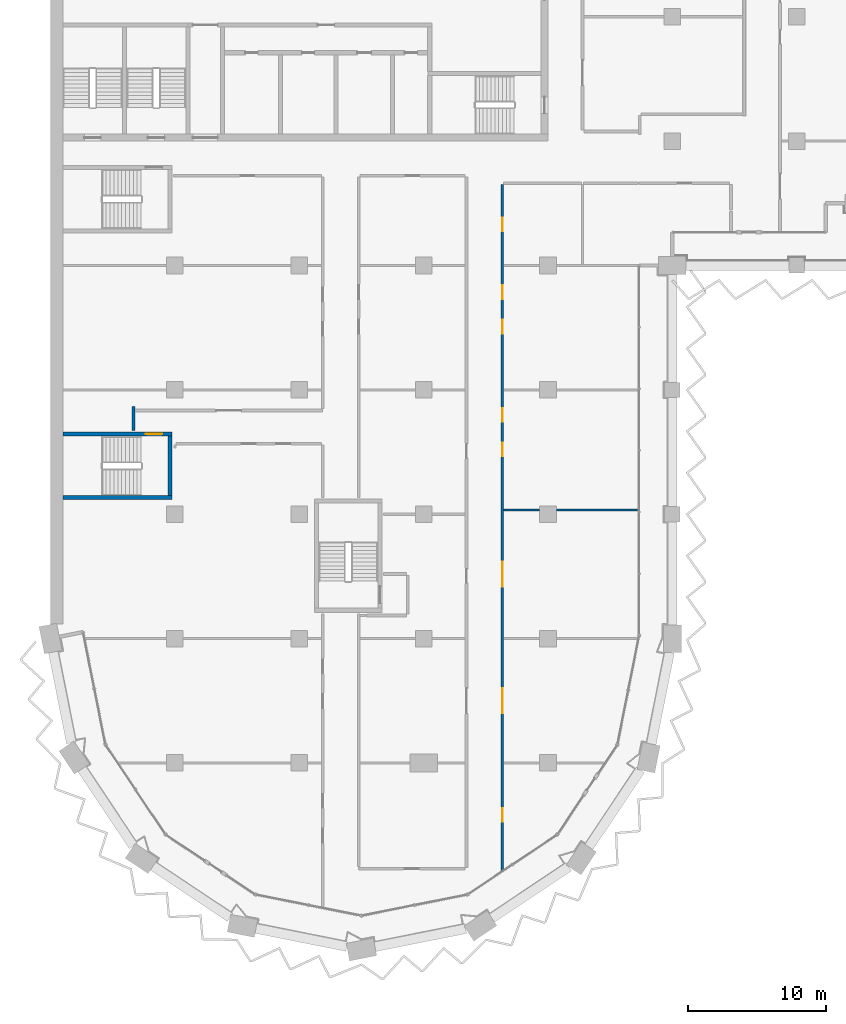
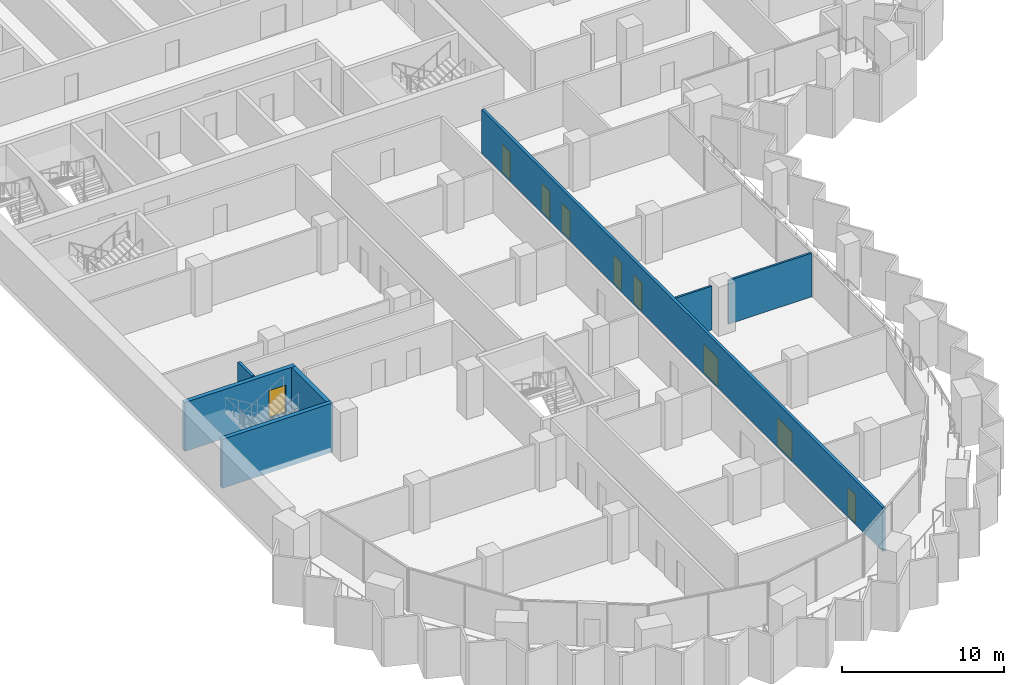
# One storey, part 10 of 23: 9 doors, 7 walls, 9 openings.
"""IFC4 building model written with IfcOpenShell, lengths in metres."""

from ifc_helpers import new_model, si_unit, direction, frame, frame_2d, origin, place, context, subcontext, project, spatial, rectangle, extrude, material, layer, layer_set, type_object, element, fill, save


model = new_model("IFC4")

# Units and contexts
model_context = context("Model", 3, precision=1e-05, world=origin(), true_north=direction((0.0, 1.0)))
body_context = subcontext(model_context, "Body", "Model", "MODEL_VIEW")
ifc_project = project(units=[si_unit("LENGTHUNIT", "METRE"), si_unit("AREAUNIT", "SQUARE_METRE"), si_unit("VOLUMEUNIT", "CUBIC_METRE"), si_unit("PLANEANGLEUNIT", "RADIAN"), si_unit("MASSUNIT", "GRAM", prefix="KILO")], contexts=[model_context])

# Site, building, storey
site_placement = place(None, origin())
site = spatial("IfcSite", under=ifc_project, at=site_placement, CompositionType="ELEMENT")
building_placement = place(site_placement, origin())
building = spatial("IfcBuilding", under=site, at=building_placement, Name="Hunhe Ridgeline Campus", CompositionType="ELEMENT")
storey_placement = place(building_placement, frame((0.0, 0.0, 148.60009765625)))
storey = spatial("IfcBuildingStorey", under=building, at=storey_placement, Name="L37", CompositionType="ELEMENT", Elevation=148.60009765625)

# Wall
ifc_material_1 = material(Name="Gypsum board partition")
ifc_layer_1 = layer(ifc_material_1, 0.199951171875)
ifc_layer_set_1 = layer_set([ifc_layer_1], Name="Corridor partition 200 gypsum board on steel studs")
wall_type_1 = type_object("IfcWallType", Name="Corridor partition 200 gypsum board on steel studs", PredefinedType="PARTITIONING", material=ifc_layer_set_1)
wall_1_placement = place(storey_placement, frame((6.0, 42.053955078125, 0.0), z_axis=(0.0, 0.0, 1.0), x_axis=(0.0, 1.0, 0.0)))
element("IfcWall", 1, at=wall_1_placement, inside=storey, type_object=wall_type_1, Name="F-L37-wall-059", PredefinedType="PARTITIONING", context=body_context, shape_type="SweptSolid", body=[
    extrude(rectangle(XDim=1.74609375, YDim=0.199951171875, at=frame_2d((0.873046875, 0.0))), origin(), (0.0, 0.0, 1.0), 3.2998046875),
])

# Wall, openings, doors
wall_2_placement = place(storey_placement, frame((32.699951171875, 59.85107421875, 0.0), z_axis=(0.0, 0.0, 1.0), x_axis=(0.0, -1.0, 0.0)))
wall_2 = element("IfcWall", 2, at=wall_2_placement, inside=storey, type_object=wall_type_1, Name="F-L37-wall-068", PredefinedType="PARTITIONING", context=body_context, shape_type="SweptSolid", body=[
    extrude(rectangle(XDim=49.62353515625, YDim=0.199951171875, at=frame_2d((24.811767578125, 0.0))), origin(), (0.0, 0.0, 1.0), 3.2998046875),
])
opening_1_placement = place(wall_2_placement, frame((45.113525390625, 0.0, 0.0)))
opening_1 = element("IfcOpeningElement", 3, at=opening_1_placement, cuts=wall_2, Name="Opening RD1-003", PredefinedType="OPENING", context=body_context, shape_type="SweptSolid", body=[
    extrude(rectangle(XDim=1.0, YDim=2.10009765625, at=frame_2d((0.5, 1.050048828125))), frame((0.0, 0.10009765625, 0.0), z_axis=(0.0, -1.0, 0.0), x_axis=(1.0, 0.0, 0.0)), (0.0, 0.0, 1.0), 0.199951171875),
])
opening_2_placement = place(wall_2_placement, frame((36.443115234375, 0.0, 0.0)))
opening_2 = element("IfcOpeningElement", 4, at=opening_2_placement, cuts=wall_2, Name="Opening RD2-007", PredefinedType="OPENING", context=body_context, shape_type="SweptSolid", body=[
    extrude(rectangle(XDim=1.800048828125, YDim=2.10009765625, at=frame_2d((0.89990234375, 1.050048828125))), frame((0.0, 0.10009765625, 0.0), z_axis=(0.0, -1.0, 0.0), x_axis=(1.0, 0.0, 0.0)), (0.0, 0.0, 1.0), 0.199951171875),
])
opening_3_placement = place(wall_2_placement, frame((27.295166015625, 0.0, 0.0)))
opening_3 = element("IfcOpeningElement", 5, at=opening_3_placement, cuts=wall_2, Name="Opening RD2-010", PredefinedType="OPENING", context=body_context, shape_type="SweptSolid", body=[
    extrude(rectangle(XDim=1.800048828125, YDim=2.10009765625, at=frame_2d((0.89990234375, 1.050048828125))), frame((0.0, 0.10009765625, 0.0), z_axis=(0.0, -1.0, 0.0), x_axis=(1.0, 0.0, 0.0)), (0.0, 0.0, 1.0), 0.199951171875),
])
opening_4_placement = place(wall_2_placement, frame((18.672607421875, 0.0, 0.0)))
opening_4 = element("IfcOpeningElement", 6, at=opening_4_placement, cuts=wall_2, Name="Opening RD1-012", PredefinedType="OPENING", context=body_context, shape_type="SweptSolid", body=[
    extrude(rectangle(XDim=1.0, YDim=2.10009765625, at=frame_2d((0.5, 1.050048828125))), frame((0.0, 0.10009765625, 0.0), z_axis=(0.0, -1.0, 0.0), x_axis=(1.0, 0.0, 0.0)), (0.0, 0.0, 1.0), 0.199951171875),
])
opening_5_placement = place(wall_2_placement, frame((16.172607421875, 0.0, 0.0)))
opening_5 = element("IfcOpeningElement", 7, at=opening_5_placement, cuts=wall_2, Name="Opening RD1-015", PredefinedType="OPENING", context=body_context, shape_type="SweptSolid", body=[
    extrude(rectangle(XDim=1.0, YDim=2.10009765625, at=frame_2d((0.5, 1.050048828125))), frame((0.0, 0.10009765625, 0.0), z_axis=(0.0, -1.0, 0.0), x_axis=(1.0, 0.0, 0.0)), (0.0, 0.0, 1.0), 0.199951171875),
])
opening_6_placement = place(wall_2_placement, frame((9.775634765625, 0.0, 0.0)))
opening_6 = element("IfcOpeningElement", 8, at=opening_6_placement, cuts=wall_2, Name="Opening RD1-019", PredefinedType="OPENING", context=body_context, shape_type="SweptSolid", body=[
    extrude(rectangle(XDim=1.0, YDim=2.10009765625, at=frame_2d((0.5, 1.050048828125))), frame((0.0, 0.10009765625, 0.0), z_axis=(0.0, -1.0, 0.0), x_axis=(1.0, 0.0, 0.0)), (0.0, 0.0, 1.0), 0.199951171875),
])
opening_7_placement = place(wall_2_placement, frame((7.275634765625, 0.0, 0.0)))
opening_7 = element("IfcOpeningElement", 9, at=opening_7_placement, cuts=wall_2, Name="Opening RD1-022", PredefinedType="OPENING", context=body_context, shape_type="SweptSolid", body=[
    extrude(rectangle(XDim=1.0, YDim=2.10009765625, at=frame_2d((0.5, 1.050048828125))), frame((0.0, 0.10009765625, 0.0), z_axis=(0.0, -1.0, 0.0), x_axis=(1.0, 0.0, 0.0)), (0.0, 0.0, 1.0), 0.199951171875),
])
opening_8_placement = place(wall_2_placement, frame((2.382080078125, 0.0, 0.0)))
opening_8 = element("IfcOpeningElement", 10, at=opening_8_placement, cuts=wall_2, Name="Opening RD1-023", PredefinedType="OPENING", context=body_context, shape_type="SweptSolid", body=[
    extrude(rectangle(XDim=1.0, YDim=2.10009765625, at=frame_2d((0.5, 1.050048828125))), frame((0.0, 0.10009765625, 0.0), z_axis=(0.0, -1.0, 0.0), x_axis=(1.0, 0.0, 0.0)), (0.0, 0.0, 1.0), 0.199951171875),
])
ifc_material_2 = material(Name="Timber door leaf", Category="wood")
door_type_1 = type_object("IfcDoorType", Name="Double fire door 1800x2100 timber FD60", OperationType="DOUBLE_DOOR_SINGLE_SWING", PredefinedType="DOOR", material=ifc_material_2)
door_1_placement = place(opening_2_placement, origin())
door_1 = element("IfcDoor", 11, at=door_1_placement, inside=storey, type_object=door_type_1, Name="F-L37-door-007", OperationType="DOUBLE_DOOR_SINGLE_SWING", OverallHeight=2.10009765625, OverallWidth=1.800048828125, PredefinedType="DOOR", context=body_context, shape_type="SweptSolid", body=[
    extrude(rectangle(XDim=1.800048828125, YDim=2.10009765625, at=frame_2d((0.89990234375, 1.050048828125))), frame((0.0, 0.02490234375, 0.0), z_axis=(0.0, -1.0, 0.0), x_axis=(1.0, 0.0, 0.0)), (0.0, 0.0, 1.0), 0.050048828125),
])
fill(opening_2, door_1)
door_2_placement = place(opening_3_placement, origin())
door_2 = element("IfcDoor", 12, at=door_2_placement, inside=storey, type_object=door_type_1, Name="F-L37-door-010", OperationType="DOUBLE_DOOR_SINGLE_SWING", OverallHeight=2.10009765625, OverallWidth=1.800048828125, PredefinedType="DOOR", context=body_context, shape_type="SweptSolid", body=[
    extrude(rectangle(XDim=1.800048828125, YDim=2.10009765625, at=frame_2d((0.89990234375, 1.050048828125))), frame((0.0, 0.02490234375, 0.0), z_axis=(0.0, -1.0, 0.0), x_axis=(1.0, 0.0, 0.0)), (0.0, 0.0, 1.0), 0.050048828125),
])
fill(opening_3, door_2)
door_type_2 = type_object("IfcDoorType", Name="Single fire door 1000x2100 timber FD60", OperationType="NOTDEFINED", PredefinedType="DOOR", material=ifc_material_2)
door_3_placement = place(opening_1_placement, origin())
door_3 = element("IfcDoor", 13, at=door_3_placement, inside=storey, type_object=door_type_2, Name="F-L37-door-003", OperationType="SINGLE_SWING_RIGHT", OverallHeight=2.10009765625, OverallWidth=1.0, PredefinedType="DOOR", context=body_context, shape_type="SweptSolid", body=[
    extrude(rectangle(XDim=1.0, YDim=2.10009765625, at=frame_2d((0.5, 1.050048828125))), frame((0.0, 0.02490234375, 0.0), z_axis=(0.0, -1.0, 0.0), x_axis=(1.0, 0.0, 0.0)), (0.0, 0.0, 1.0), 0.050048828125),
])
fill(opening_1, door_3)
door_4_placement = place(opening_4_placement, frame((1.0, 0.0, 0.0), z_axis=(0.0, 0.0, 1.0), x_axis=(-1.0, 0.0, 0.0)))
door_4 = element("IfcDoor", 14, at=door_4_placement, inside=storey, type_object=door_type_2, Name="F-L37-door-012", OperationType="SINGLE_SWING_RIGHT", OverallHeight=2.10009765625, OverallWidth=1.0, PredefinedType="DOOR", context=body_context, shape_type="SweptSolid", body=[
    extrude(rectangle(XDim=1.0, YDim=2.10009765625, at=frame_2d((0.5, 1.050048828125))), frame((0.0, 0.02490234375, 0.0), z_axis=(0.0, -1.0, 0.0), x_axis=(1.0, 0.0, 0.0)), (0.0, 0.0, 1.0), 0.050048828125),
])
fill(opening_4, door_4)
door_5_placement = place(opening_5_placement, frame((1.0, 0.0, 0.0), z_axis=(0.0, 0.0, 1.0), x_axis=(-1.0, 0.0, 0.0)))
door_5 = element("IfcDoor", 15, at=door_5_placement, inside=storey, type_object=door_type_2, Name="F-L37-door-015", OperationType="SINGLE_SWING_RIGHT", OverallHeight=2.10009765625, OverallWidth=1.0, PredefinedType="DOOR", context=body_context, shape_type="SweptSolid", body=[
    extrude(rectangle(XDim=1.0, YDim=2.10009765625, at=frame_2d((0.5, 1.050048828125))), frame((0.0, 0.02490234375, 0.0), z_axis=(0.0, -1.0, 0.0), x_axis=(1.0, 0.0, 0.0)), (0.0, 0.0, 1.0), 0.050048828125),
])
fill(opening_5, door_5)
door_6_placement = place(opening_6_placement, frame((1.0, 0.0, 0.0), z_axis=(0.0, 0.0, 1.0), x_axis=(-1.0, 0.0, 0.0)))
door_6 = element("IfcDoor", 16, at=door_6_placement, inside=storey, type_object=door_type_2, Name="F-L37-door-019", OperationType="SINGLE_SWING_LEFT", OverallHeight=2.10009765625, OverallWidth=1.0, PredefinedType="DOOR", context=body_context, shape_type="SweptSolid", body=[
    extrude(rectangle(XDim=1.0, YDim=2.10009765625, at=frame_2d((0.5, 1.050048828125))), frame((0.0, 0.02490234375, 0.0), z_axis=(0.0, -1.0, 0.0), x_axis=(1.0, 0.0, 0.0)), (0.0, 0.0, 1.0), 0.050048828125),
])
fill(opening_6, door_6)
door_7_placement = place(opening_7_placement, frame((1.0, 0.0, 0.0), z_axis=(0.0, 0.0, 1.0), x_axis=(-1.0, 0.0, 0.0)))
door_7 = element("IfcDoor", 17, at=door_7_placement, inside=storey, type_object=door_type_2, Name="F-L37-door-022", OperationType="SINGLE_SWING_RIGHT", OverallHeight=2.10009765625, OverallWidth=1.0, PredefinedType="DOOR", context=body_context, shape_type="SweptSolid", body=[
    extrude(rectangle(XDim=1.0, YDim=2.10009765625, at=frame_2d((0.5, 1.050048828125))), frame((0.0, 0.02490234375, 0.0), z_axis=(0.0, -1.0, 0.0), x_axis=(1.0, 0.0, 0.0)), (0.0, 0.0, 1.0), 0.050048828125),
])
fill(opening_7, door_7)
door_8_placement = place(opening_8_placement, origin())
door_8 = element("IfcDoor", 18, at=door_8_placement, inside=storey, type_object=door_type_2, Name="F-L37-door-023", OperationType="SINGLE_SWING_LEFT", OverallHeight=2.10009765625, OverallWidth=1.0, PredefinedType="DOOR", context=body_context, shape_type="SweptSolid", body=[
    extrude(rectangle(XDim=1.0, YDim=2.10009765625, at=frame_2d((0.5, 1.050048828125))), frame((0.0, 0.02490234375, 0.0), z_axis=(0.0, -1.0, 0.0), x_axis=(1.0, 0.0, 0.0)), (0.0, 0.0, 1.0), 0.050048828125),
])
fill(opening_8, door_8)

# Walls
ifc_layer_2 = layer(ifc_material_1, 0.14990234375)
ifc_layer_set_2 = layer_set([ifc_layer_2], Name="Room partition 150 gypsum board on steel studs")
wall_type_2 = type_object("IfcWallType", Name="Room partition 150 gypsum board on steel studs", PredefinedType="PARTITIONING", material=ifc_layer_set_2)
wall_3_placement = place(storey_placement, frame((32.800048828125, 36.300048828125, 0.0), z_axis=(0.0, 0.0, 1.0), x_axis=(1.0, 0.0, 0.0)))
element("IfcWall", 19, at=wall_3_placement, inside=storey, type_object=wall_type_2, Name="F-L37-wall-021", PredefinedType="PARTITIONING", context=body_context, shape_type="SweptSolid", body=[
    extrude(rectangle(XDim=2.599853515625, YDim=0.14990234375, at=frame_2d((1.2998046875, 0.0))), origin(), (0.0, 0.0, 1.0), 3.2998046875),
])
wall_4_placement = place(storey_placement, frame((36.60009765625, 36.300048828125, 0.0), z_axis=(0.0, 0.0, 1.0), x_axis=(1.0, 0.0, 0.0)))
element("IfcWall", 20, at=wall_4_placement, inside=storey, type_object=wall_type_2, Name="F-L37-wall-022", PredefinedType="PARTITIONING", context=body_context, shape_type="SweptSolid", body=[
    extrude(rectangle(XDim=5.94482421875, YDim=0.14990234375, at=frame_2d((2.972412109375, 0.0))), origin(), (0.0, 0.0, 1.0), 3.2998046875),
])
ifc_material_3 = material(Name="Concrete C70", Category="concrete")
ifc_layer_3 = layer(ifc_material_3, 0.300048828125)
ifc_layer_set_3 = layer_set([ifc_layer_3], Name="Stair wall 300 reinforced concrete C70")
wall_type_3 = type_object("IfcWallType", Name="Stair wall 300 reinforced concrete C70", PredefinedType="SOLIDWALL", material=ifc_layer_set_3)
wall_5_placement = place(storey_placement, frame((0.89990234375, 37.199951171875, -0.400146484375), z_axis=(0.0, 0.0, 1.0), x_axis=(1.0, 0.0, 0.0)))
element("IfcWall", 21, at=wall_5_placement, inside=storey, type_object=wall_type_3, Name="L37 core wall 3", PredefinedType="SOLIDWALL", context=body_context, shape_type="SweptSolid", body=[
    extrude(rectangle(XDim=7.900146484375, YDim=0.300048828125, at=frame_2d((3.9501953125, 0.0))), origin(), (0.0, 0.0, 1.0), 3.699951171875),
])

# Wall, opening, door
wall_6_placement = place(storey_placement, frame((0.89990234375, 41.800048828125, -0.400146484375), z_axis=(0.0, 0.0, 1.0), x_axis=(1.0, 0.0, 0.0)))
wall_6 = element("IfcWall", 22, at=wall_6_placement, inside=storey, type_object=wall_type_3, Name="L37 core wall 4", PredefinedType="SOLIDWALL", context=body_context, shape_type="SweptSolid", body=[
    extrude(rectangle(XDim=7.900146484375, YDim=0.300048828125, at=frame_2d((3.9501953125, 0.0))), origin(), (0.0, 0.0, 1.0), 3.699951171875),
])
opening_9_placement = place(wall_6_placement, frame((6.0, 0.0, 0.39990234375)))
opening_9 = element("IfcOpeningElement", 23, at=opening_9_placement, cuts=wall_6, Name="Opening CD21", PredefinedType="OPENING", context=body_context, shape_type="SweptSolid", body=[
    extrude(rectangle(XDim=1.199951171875, YDim=2.10009765625, at=frame_2d((0.60009765625, 1.050048828125))), frame((0.0, 0.14990234375, 0.0), z_axis=(0.0, -1.0, 0.0), x_axis=(1.0, 0.0, 0.0)), (0.0, 0.0, 1.0), 0.300048828125),
])
ifc_material_4 = material(Name="Hollow metal fire door leaf")
door_type_3 = type_object("IfcDoorType", Name="Stair door 1200x2100 FD60", OperationType="SINGLE_SWING_LEFT", PredefinedType="DOOR", material=ifc_material_4)
door_9_placement = place(opening_9_placement, origin())
door_9 = element("IfcDoor", 24, at=door_9_placement, inside=storey, type_object=door_type_3, Name="L37 door W1", OperationType="SINGLE_SWING_LEFT", OverallHeight=2.10009765625, OverallWidth=1.199951171875, PredefinedType="DOOR", context=body_context, shape_type="SweptSolid", body=[
    extrude(rectangle(XDim=1.199951171875, YDim=2.10009765625, at=frame_2d((0.60009765625, 1.050048828125))), frame((0.0, 0.02490234375, 0.0), z_axis=(0.0, -1.0, 0.0), x_axis=(1.0, 0.0, 0.0)), (0.0, 0.0, 1.0), 0.050048828125),
])
fill(opening_9, door_9)

# Wall
wall_7_placement = place(storey_placement, frame((8.64990234375, 37.35009765625, -0.400146484375), z_axis=(0.0, 0.0, 1.0), x_axis=(0.0, 1.0, 0.0)))
element("IfcWall", 25, at=wall_7_placement, inside=storey, type_object=wall_type_3, Name="L37 core wall 35", PredefinedType="SOLIDWALL", context=body_context, shape_type="SweptSolid", body=[
    extrude(rectangle(XDim=4.2998046875, YDim=0.300048828125, at=frame_2d((2.14990234375, 0.0))), origin(), (0.0, 0.0, 1.0), 3.699951171875),
])

save(model, "model.ifc")
